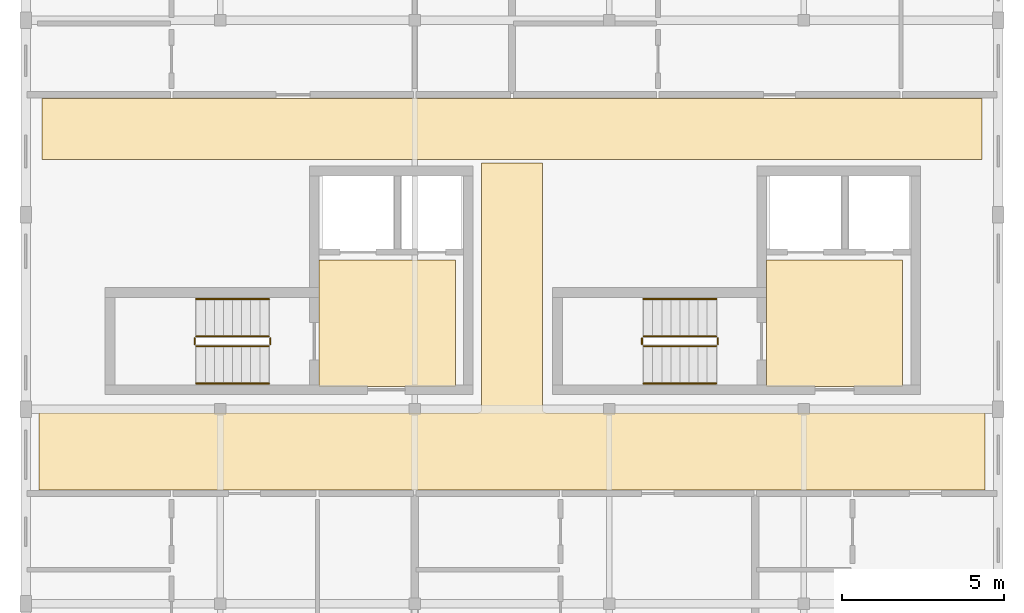
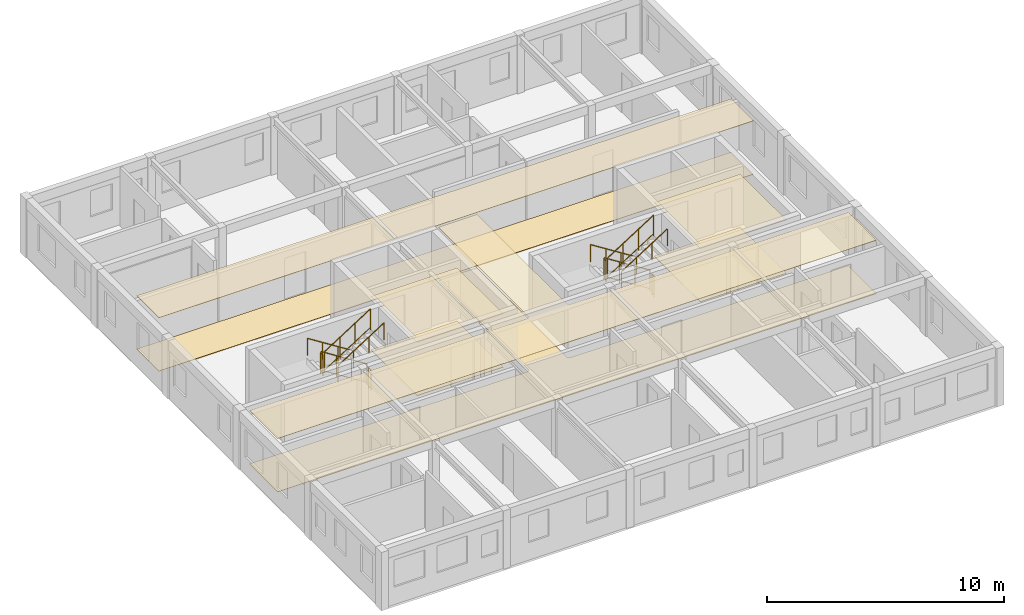
# One storey, part 7 of 7: 12 railings, 8 coverings.
"""IFC4 building model written with IfcOpenShell, lengths in metres."""

from ifc_helpers import new_model, si_unit, direction, frame, origin, origin_2d, place, context, subcontext, project, spatial, polyline, circle, outline, extrude, material, layer, layer_set, type_object, element, save


model = new_model("IFC4")

# Units and contexts
model_context = context("Model", 3, precision=1e-05, world=origin(), true_north=direction((0.0, 1.0)))
body_context = subcontext(model_context, "Body", "Model", "MODEL_VIEW")
ifc_project = project(units=[si_unit("LENGTHUNIT", "METRE"), si_unit("AREAUNIT", "SQUARE_METRE"), si_unit("VOLUMEUNIT", "CUBIC_METRE"), si_unit("PLANEANGLEUNIT", "RADIAN"), si_unit("MASSUNIT", "GRAM", prefix="KILO"), si_unit("POWERUNIT", "WATT"), si_unit("THERMODYNAMICTEMPERATUREUNIT", "KELVIN")], contexts=[model_context])

# Site, building, storey
site_placement = place(None, origin())
site = spatial("IfcSite", under=ifc_project, at=site_placement, CompositionType="ELEMENT")
building_placement = place(site_placement, origin())
building = spatial("IfcBuilding", under=site, at=building_placement, Name="Ruvembo Vaulted Housing Court", CompositionType="ELEMENT")
storey_placement = place(building_placement, frame((0.0, 0.0, 42.89990234375)))
storey = spatial("IfcBuildingStorey", under=building, at=storey_placement, Name="L13", CompositionType="ELEMENT", Elevation=42.89990234375)

# Coverings
ifc_material_1 = material(Name="Perforated Mineral-Fibre Acoustic Tile", Category="gypsum")
ifc_layer_1 = layer(ifc_material_1, 0.02001953125, Name="Perforated Mineral-Fibre Acoustic Tile")
ifc_layer_set_1 = layer_set([ifc_layer_1], Name="Perforated Mineral-Fibre Acoustic Tile")
covering_type_1 = type_object("IfcCoveringType", Name="COV-CEIL-ACOUST", PredefinedType="CEILING", material=ifc_layer_set_1)
covering_1_placement = place(storey_placement, frame((0.0, 0.0, 2.75)))
element("IfcCovering", 1, at=covering_1_placement, inside=storey, type_object=covering_type_1, Name="Firefighting Lift Lobby A1 Ceiling", PredefinedType="CEILING", context=body_context, shape_type="SweptSolid", body=[
    extrude(outline(polyline([(13.25, 22.60009765625), (9.050048828125, 22.60009765625), (9.050048828125, 18.699951171875), (13.25, 18.699951171875), (13.25, 22.60009765625)])), origin(), (0.0, 0.0, 1.0), 0.02001953125),
])
covering_2_placement = place(storey_placement, frame((0.0, 0.0, 2.75)))
element("IfcCovering", 2, at=covering_2_placement, inside=storey, type_object=covering_type_1, Name="Firefighting Lift Lobby A2 Ceiling", PredefinedType="CEILING", context=body_context, shape_type="SweptSolid", body=[
    extrude(outline(polyline([(27.050048828125, 22.60009765625), (22.85009765625, 22.60009765625), (22.85009765625, 18.699951171875), (27.050048828125, 18.699951171875), (27.050048828125, 22.60009765625)])), origin(), (0.0, 0.0, 1.0), 0.02001953125),
])
covering_3_placement = place(storey_placement, frame((0.0, 0.0, 2.75)))
element("IfcCovering", 3, at=covering_3_placement, inside=storey, type_object=covering_type_1, Name="Block A L13 Corridor Ceiling", PredefinedType="CEILING", context=body_context, shape_type="SweptSolid", body=[
    extrude(outline(polyline([(29.590087890625, 15.510009765625), (29.590087890625, 17.889892578125), (16.050048828125, 17.889892578125), (16.039306640625, 17.890380859375), (16.028564453125, 17.89208984375), (16.01806640625, 17.894775390625), (16.0078125, 17.8984375), (15.998046875, 17.903076171875), (15.989013671875, 17.908447265625), (15.980224609375, 17.9150390625), (15.97216796875, 17.922119140625), (15.965087890625, 17.93017578125), (15.95849609375, 17.93896484375), (15.952880859375, 17.947998046875), (15.948486328125, 17.9580078125), (15.944580078125, 17.968017578125), (15.942138671875, 17.978515625), (15.9404296875, 17.9892578125), (15.93994140625, 18.0), (15.93994140625, 25.590087890625), (14.06005859375, 25.590087890625), (14.06005859375, 18.0), (14.0595703125, 17.9892578125), (14.057861328125, 17.978515625), (14.055419921875, 17.968017578125), (14.051513671875, 17.9580078125), (14.047119140625, 17.947998046875), (14.04150390625, 17.93896484375), (14.034912109375, 17.93017578125), (14.02783203125, 17.922119140625), (14.019775390625, 17.9150390625), (14.010986328125, 17.908447265625), (14.001953125, 17.903076171875), (13.9921875, 17.8984375), (13.98193359375, 17.894775390625), (13.971435546875, 17.89208984375), (13.960693359375, 17.890380859375), (13.949951171875, 17.889892578125), (0.409912109375, 17.889892578125), (0.409912109375, 15.510009765625), (29.590087890625, 15.510009765625)])), origin(), (0.0, 0.0, 1.0), 0.02001953125),
])
covering_4_placement = place(storey_placement, frame((0.0, 0.0, 2.75)))
element("IfcCovering", 4, at=covering_4_placement, inside=storey, type_object=covering_type_1, Name="Block A L13 North Sub-Corridor Ceiling", PredefinedType="CEILING", context=body_context, shape_type="SweptSolid", body=[
    extrude(outline(polyline([(0.510009765625, 25.7099609375), (29.489990234375, 25.7099609375), (29.489990234375, 27.590087890625), (0.510009765625, 27.590087890625), (0.510009765625, 25.7099609375)])), origin(), (0.0, 0.0, 1.0), 0.02001953125),
])
ifc_material_2 = material(Name="Polished Cement-Aggregate Terrazzo", Category="stone")
ifc_layer_2 = layer(ifc_material_2, 0.02197265625, Name="Polished Cement-Aggregate Terrazzo")
ifc_layer_set_2 = layer_set([ifc_layer_2], Name="Polished Cement-Aggregate Terrazzo")
covering_type_2 = type_object("IfcCoveringType", Name="COV-FLR-CERAMIC", PredefinedType="FLOORING", material=ifc_layer_set_2)
covering_5_placement = place(storey_placement, origin())
element("IfcCovering", 5, at=covering_5_placement, inside=storey, type_object=covering_type_2, Name="Firefighting Lift Lobby A1 Flooring", PredefinedType="FLOORING", context=body_context, shape_type="SweptSolid", body=[
    extrude(outline(polyline([(13.25, 22.60009765625), (9.050048828125, 22.60009765625), (9.050048828125, 18.699951171875), (13.25, 18.699951171875), (13.25, 22.60009765625)])), origin(), (0.0, 0.0, 1.0), 0.022216796875),
])
covering_6_placement = place(storey_placement, origin())
element("IfcCovering", 6, at=covering_6_placement, inside=storey, type_object=covering_type_2, Name="Firefighting Lift Lobby A2 Flooring", PredefinedType="FLOORING", context=body_context, shape_type="SweptSolid", body=[
    extrude(outline(polyline([(27.050048828125, 22.60009765625), (22.85009765625, 22.60009765625), (22.85009765625, 18.699951171875), (27.050048828125, 18.699951171875), (27.050048828125, 22.60009765625)])), origin(), (0.0, 0.0, 1.0), 0.022216796875),
])
covering_7_placement = place(storey_placement, origin())
element("IfcCovering", 7, at=covering_7_placement, inside=storey, type_object=covering_type_2, Name="Block A L13 Corridor Flooring", PredefinedType="FLOORING", context=body_context, shape_type="SweptSolid", body=[
    extrude(outline(polyline([(29.590087890625, 15.510009765625), (29.590087890625, 17.889892578125), (16.050048828125, 17.889892578125), (16.039306640625, 17.890380859375), (16.028564453125, 17.89208984375), (16.01806640625, 17.894775390625), (16.0078125, 17.8984375), (15.998046875, 17.903076171875), (15.989013671875, 17.908447265625), (15.980224609375, 17.9150390625), (15.97216796875, 17.922119140625), (15.965087890625, 17.93017578125), (15.95849609375, 17.93896484375), (15.952880859375, 17.947998046875), (15.948486328125, 17.9580078125), (15.944580078125, 17.968017578125), (15.942138671875, 17.978515625), (15.9404296875, 17.9892578125), (15.93994140625, 18.0), (15.93994140625, 25.590087890625), (14.06005859375, 25.590087890625), (14.06005859375, 18.0), (14.0595703125, 17.9892578125), (14.057861328125, 17.978515625), (14.055419921875, 17.968017578125), (14.051513671875, 17.9580078125), (14.047119140625, 17.947998046875), (14.04150390625, 17.93896484375), (14.034912109375, 17.93017578125), (14.02783203125, 17.922119140625), (14.019775390625, 17.9150390625), (14.010986328125, 17.908447265625), (14.001953125, 17.903076171875), (13.9921875, 17.8984375), (13.98193359375, 17.894775390625), (13.971435546875, 17.89208984375), (13.960693359375, 17.890380859375), (13.949951171875, 17.889892578125), (0.409912109375, 17.889892578125), (0.409912109375, 15.510009765625), (29.590087890625, 15.510009765625)])), origin(), (0.0, 0.0, 1.0), 0.022216796875),
])
covering_8_placement = place(storey_placement, origin())
element("IfcCovering", 8, at=covering_8_placement, inside=storey, type_object=covering_type_2, Name="Block A L13 North Sub-Corridor Flooring", PredefinedType="FLOORING", context=body_context, shape_type="SweptSolid", body=[
    extrude(outline(polyline([(0.510009765625, 25.7099609375), (29.489990234375, 25.7099609375), (29.489990234375, 27.590087890625), (0.510009765625, 27.590087890625), (0.510009765625, 25.7099609375)])), origin(), (0.0, 0.0, 1.0), 0.022216796875),
])

# Railings
ifc_material_3 = material(Name="Painted Galvanised Steel S275", Category="steel")
ifc_layer_3 = layer(ifc_material_3, 0.06005859375, Name="Painted Galvanised Steel S275")
ifc_layer_set_3 = layer_set([ifc_layer_3], Name="Painted Galvanised Steel S275")
railing_type_1 = type_object("IfcRailingType", Name="RL-STAIR-GR1100", PredefinedType="GUARDRAIL", material=ifc_layer_set_3)
railing_1_placement = place(storey_placement, frame((7.5, 20.25, 0.177978515625)))
element("IfcRailing", 9, at=railing_1_placement, inside=storey, type_object=railing_type_1, Name="L13 ST-A1 stair guard 1", PredefinedType="GUARDRAIL", context=body_context, shape_type="SweptSolid", body=[
    extrude(circle(Radius=0.02392578125, at=origin_2d()), frame((0.0, 0.0, 1.076171875), z_axis=(-0.8442293374, 0.0, 0.53598211339), x_axis=(0.0, -1.0, 0.0)), (0.0, 0.0, 1.0), 2.6533203125),
    extrude(circle(Radius=0.01806640625, at=origin_2d()), frame((0.0, 0.0, 0.1201171875), z_axis=(-0.8442293374, 0.0, 0.53598211339), x_axis=(0.0, -1.0, 0.0)), (0.0, 0.0, 1.0), 2.6533203125),
    extrude(circle(Radius=0.02099609375, at=origin_2d()), origin(), (0.0, 0.0, 1.0), 1.052001953125),
    extrude(circle(Radius=0.02099609375, at=origin_2d()), frame((-0.74658203125, 0.0, 0.47412109375)), (0.0, 0.0, 1.0), 1.052001953125),
    extrude(circle(Radius=0.02099609375, at=origin_2d()), frame((-1.493408203125, 0.0, 0.947998046875)), (0.0, 0.0, 1.0), 1.052001953125),
    extrude(circle(Radius=0.02099609375, at=origin_2d()), frame((-2.239990234375, 0.0, 1.422119140625)), (0.0, 0.0, 1.0), 1.052001953125),
])
railing_2_placement = place(storey_placement, frame((5.2099609375, 20.199951171875, 1.60009765625)))
element("IfcRailing", 10, at=railing_2_placement, inside=storey, type_object=railing_type_1, Name="L13 ST-A1 stair guard 2", PredefinedType="GUARDRAIL", context=body_context, shape_type="SweptSolid", body=[
    extrude(circle(Radius=0.02392578125, at=origin_2d()), frame((0.0, 0.0, 1.076171875), z_axis=(0.0, -1.0, 0.0), x_axis=(1.0, 0.0, 0.0)), (0.0, 0.0, 1.0), 0.199951171875),
    extrude(circle(Radius=0.01806640625, at=origin_2d()), frame((0.0, 0.0, 0.1201171875), z_axis=(0.0, -1.0, 0.0), x_axis=(1.0, 0.0, 0.0)), (0.0, 0.0, 1.0), 0.199951171875),
    extrude(circle(Radius=0.02099609375, at=origin_2d()), origin(), (0.0, 0.0, 1.0), 1.052001953125),
    extrude(circle(Radius=0.02099609375, at=origin_2d()), frame((0.0, -0.199951171875, 0.0)), (0.0, 0.0, 1.0), 1.052001953125),
])
railing_3_placement = place(storey_placement, frame((5.260009765625, 19.949951171875, 1.77783203125)))
element("IfcRailing", 11, at=railing_3_placement, inside=storey, type_object=railing_type_1, Name="L13 ST-A1 stair guard 3", PredefinedType="GUARDRAIL", context=body_context, shape_type="SweptSolid", body=[
    extrude(circle(Radius=0.02392578125, at=origin_2d()), frame((0.0, 0.0, 1.076171875), z_axis=(0.84418770128, 0.0, 0.536047689118), x_axis=(0.0, 1.0, 0.0)), (0.0, 0.0, 1.0), 2.6533203125),
    extrude(circle(Radius=0.01806640625, at=origin_2d()), frame((0.0, 0.0, 0.1201171875), z_axis=(0.84418770128, 0.0, 0.536047689118), x_axis=(0.0, 1.0, 0.0)), (0.0, 0.0, 1.0), 2.6533203125),
    extrude(circle(Radius=0.02099609375, at=origin_2d()), origin(), (0.0, 0.0, 1.0), 1.052001953125),
    extrude(circle(Radius=0.02099609375, at=origin_2d()), frame((0.74658203125, 0.0, 0.47412109375)), (0.0, 0.0, 1.0), 1.052001953125),
    extrude(circle(Radius=0.02099609375, at=origin_2d()), frame((1.493408203125, 0.0, 0.9482421875)), (0.0, 0.0, 1.0), 1.052001953125),
    extrude(circle(Radius=0.02099609375, at=origin_2d()), frame((2.239990234375, 0.0, 1.42236328125)), (0.0, 0.0, 1.0), 1.052001953125),
])
railing_4_placement = place(storey_placement, frame((7.550048828125, 20.199951171875, 0.0)))
element("IfcRailing", 12, at=railing_4_placement, inside=storey, type_object=railing_type_1, Name="L13 ST-A1 stair guard 4", PredefinedType="GUARDRAIL", context=body_context, shape_type="SweptSolid", body=[
    extrude(circle(Radius=0.02392578125, at=origin_2d()), frame((0.0, 0.0, 1.076171875), z_axis=(0.0, -1.0, 0.0), x_axis=(1.0, 0.0, 0.0)), (0.0, 0.0, 1.0), 0.199951171875),
    extrude(circle(Radius=0.01806640625, at=origin_2d()), frame((0.0, 0.0, 0.1201171875), z_axis=(0.0, -1.0, 0.0), x_axis=(1.0, 0.0, 0.0)), (0.0, 0.0, 1.0), 0.199951171875),
    extrude(circle(Radius=0.02099609375, at=origin_2d()), origin(), (0.0, 0.0, 1.0), 1.052001953125),
    extrude(circle(Radius=0.02099609375, at=origin_2d()), frame((0.0, -0.199951171875, 0.0)), (0.0, 0.0, 1.0), 1.052001953125),
])
railing_5_placement = place(storey_placement, frame((21.300048828125, 20.25, 0.177978515625)))
element("IfcRailing", 13, at=railing_5_placement, inside=storey, type_object=railing_type_1, Name="L13 ST-A2 stair guard 1", PredefinedType="GUARDRAIL", context=body_context, shape_type="SweptSolid", body=[
    extrude(circle(Radius=0.02392578125, at=origin_2d()), frame((0.0, 0.0, 1.076171875), z_axis=(-0.8442293374, 0.0, 0.53598211339), x_axis=(0.0, -1.0, 0.0)), (0.0, 0.0, 1.0), 2.6533203125),
    extrude(circle(Radius=0.01806640625, at=origin_2d()), frame((0.0, 0.0, 0.1201171875), z_axis=(-0.8442293374, 0.0, 0.53598211339), x_axis=(0.0, -1.0, 0.0)), (0.0, 0.0, 1.0), 2.6533203125),
    extrude(circle(Radius=0.02099609375, at=origin_2d()), origin(), (0.0, 0.0, 1.0), 1.052001953125),
    extrude(circle(Radius=0.02099609375, at=origin_2d()), frame((-0.74658203125, 0.0, 0.47412109375)), (0.0, 0.0, 1.0), 1.052001953125),
    extrude(circle(Radius=0.02099609375, at=origin_2d()), frame((-1.493408203125, 0.0, 0.947998046875)), (0.0, 0.0, 1.0), 1.052001953125),
    extrude(circle(Radius=0.02099609375, at=origin_2d()), frame((-2.239990234375, 0.0, 1.422119140625)), (0.0, 0.0, 1.0), 1.052001953125),
])
railing_6_placement = place(storey_placement, frame((19.010009765625, 20.199951171875, 1.60009765625)))
element("IfcRailing", 14, at=railing_6_placement, inside=storey, type_object=railing_type_1, Name="L13 ST-A2 stair guard 2", PredefinedType="GUARDRAIL", context=body_context, shape_type="SweptSolid", body=[
    extrude(circle(Radius=0.02392578125, at=origin_2d()), frame((0.0, 0.0, 1.076171875), z_axis=(0.0, -1.0, 0.0), x_axis=(1.0, 0.0, 0.0)), (0.0, 0.0, 1.0), 0.199951171875),
    extrude(circle(Radius=0.01806640625, at=origin_2d()), frame((0.0, 0.0, 0.1201171875), z_axis=(0.0, -1.0, 0.0), x_axis=(1.0, 0.0, 0.0)), (0.0, 0.0, 1.0), 0.199951171875),
    extrude(circle(Radius=0.02099609375, at=origin_2d()), origin(), (0.0, 0.0, 1.0), 1.052001953125),
    extrude(circle(Radius=0.02099609375, at=origin_2d()), frame((0.0, -0.199951171875, 0.0)), (0.0, 0.0, 1.0), 1.052001953125),
])
railing_7_placement = place(storey_placement, frame((19.06005859375, 19.949951171875, 1.77783203125)))
element("IfcRailing", 15, at=railing_7_placement, inside=storey, type_object=railing_type_1, Name="L13 ST-A2 stair guard 3", PredefinedType="GUARDRAIL", context=body_context, shape_type="SweptSolid", body=[
    extrude(circle(Radius=0.02392578125, at=origin_2d()), frame((0.0, 0.0, 1.076171875), z_axis=(0.84418770128, 0.0, 0.536047689118), x_axis=(0.0, 1.0, 0.0)), (0.0, 0.0, 1.0), 2.6533203125),
    extrude(circle(Radius=0.01806640625, at=origin_2d()), frame((0.0, 0.0, 0.1201171875), z_axis=(0.84418770128, 0.0, 0.536047689118), x_axis=(0.0, 1.0, 0.0)), (0.0, 0.0, 1.0), 2.6533203125),
    extrude(circle(Radius=0.02099609375, at=origin_2d()), origin(), (0.0, 0.0, 1.0), 1.052001953125),
    extrude(circle(Radius=0.02099609375, at=origin_2d()), frame((0.74658203125, 0.0, 0.47412109375)), (0.0, 0.0, 1.0), 1.052001953125),
    extrude(circle(Radius=0.02099609375, at=origin_2d()), frame((1.493408203125, 0.0, 0.9482421875)), (0.0, 0.0, 1.0), 1.052001953125),
    extrude(circle(Radius=0.02099609375, at=origin_2d()), frame((2.239990234375, 0.0, 1.42236328125)), (0.0, 0.0, 1.0), 1.052001953125),
])
railing_8_placement = place(storey_placement, frame((21.35009765625, 20.199951171875, 0.0)))
element("IfcRailing", 16, at=railing_8_placement, inside=storey, type_object=railing_type_1, Name="L13 ST-A2 stair guard 4", PredefinedType="GUARDRAIL", context=body_context, shape_type="SweptSolid", body=[
    extrude(circle(Radius=0.02392578125, at=origin_2d()), frame((0.0, 0.0, 1.076171875), z_axis=(0.0, -1.0, 0.0), x_axis=(1.0, 0.0, 0.0)), (0.0, 0.0, 1.0), 0.199951171875),
    extrude(circle(Radius=0.01806640625, at=origin_2d()), frame((0.0, 0.0, 0.1201171875), z_axis=(0.0, -1.0, 0.0), x_axis=(1.0, 0.0, 0.0)), (0.0, 0.0, 1.0), 0.199951171875),
    extrude(circle(Radius=0.02099609375, at=origin_2d()), origin(), (0.0, 0.0, 1.0), 1.052001953125),
    extrude(circle(Radius=0.02099609375, at=origin_2d()), frame((0.0, -0.199951171875, 0.0)), (0.0, 0.0, 1.0), 1.052001953125),
])
ifc_material_4 = material(Name="Brushed Stainless Steel 304", Category="steel")
ifc_layer_4 = layer(ifc_material_4, 0.050048828125, Name="Brushed Stainless Steel 304")
ifc_layer_set_4 = layer_set([ifc_layer_4], Name="Brushed Stainless Steel 304")
railing_type_2 = type_object("IfcRailingType", Name="RL-STAIR-HR920", PredefinedType="HANDRAIL", material=ifc_layer_set_4)
railing_9_placement = place(storey_placement, frame((7.5, 21.39990234375, 0.359375)))
element("IfcRailing", 17, at=railing_9_placement, inside=storey, type_object=railing_type_2, Name="L13 ST-A1 stair handrail 1", PredefinedType="HANDRAIL", context=body_context, shape_type="SweptSolid", body=[
    extrude(circle(Radius=0.02392578125, at=origin_2d()), frame((0.0, 0.0, 0.8759765625), z_axis=(-0.8442293374, 0.0, 0.53598211339), x_axis=(0.0, -1.0, 0.0)), (0.0, 0.0, 1.0), 2.6533203125),
    extrude(circle(Radius=0.02099609375, at=origin_2d()), origin(), (0.0, 0.0, 1.0), 0.851806640625),
    extrude(circle(Radius=0.02099609375, at=origin_2d()), frame((-0.74658203125, 0.0, 0.47412109375)), (0.0, 0.0, 1.0), 0.851806640625),
    extrude(circle(Radius=0.02099609375, at=origin_2d()), frame((-1.493408203125, 0.0, 0.947998046875)), (0.0, 0.0, 1.0), 0.851806640625),
    extrude(circle(Radius=0.02099609375, at=origin_2d()), frame((-2.239990234375, 0.0, 1.422119140625)), (0.0, 0.0, 1.0), 0.851806640625),
])
railing_10_placement = place(storey_placement, frame((5.260009765625, 18.800048828125, 1.95947265625)))
element("IfcRailing", 18, at=railing_10_placement, inside=storey, type_object=railing_type_2, Name="L13 ST-A1 stair handrail 2", PredefinedType="HANDRAIL", context=body_context, shape_type="SweptSolid", body=[
    extrude(circle(Radius=0.02392578125, at=origin_2d()), frame((0.0, 0.0, 0.8759765625), z_axis=(0.8442293374, 0.0, 0.53598211339), x_axis=(0.0, 1.0, 0.0)), (0.0, 0.0, 1.0), 2.6533203125),
    extrude(circle(Radius=0.02099609375, at=origin_2d()), origin(), (0.0, 0.0, 1.0), 0.851806640625),
    extrude(circle(Radius=0.02099609375, at=origin_2d()), frame((0.74658203125, 0.0, 0.47412109375)), (0.0, 0.0, 1.0), 0.851806640625),
    extrude(circle(Radius=0.02099609375, at=origin_2d()), frame((1.493408203125, 0.0, 0.947998046875)), (0.0, 0.0, 1.0), 0.851806640625),
    extrude(circle(Radius=0.02099609375, at=origin_2d()), frame((2.239990234375, 0.0, 1.422119140625)), (0.0, 0.0, 1.0), 0.851806640625),
])
railing_11_placement = place(storey_placement, frame((21.300048828125, 21.39990234375, 0.359375)))
element("IfcRailing", 19, at=railing_11_placement, inside=storey, type_object=railing_type_2, Name="L13 ST-A2 stair handrail 1", PredefinedType="HANDRAIL", context=body_context, shape_type="SweptSolid", body=[
    extrude(circle(Radius=0.02392578125, at=origin_2d()), frame((0.0, 0.0, 0.8759765625), z_axis=(-0.8442293374, 0.0, 0.53598211339), x_axis=(0.0, -1.0, 0.0)), (0.0, 0.0, 1.0), 2.6533203125),
    extrude(circle(Radius=0.02099609375, at=origin_2d()), origin(), (0.0, 0.0, 1.0), 0.851806640625),
    extrude(circle(Radius=0.02099609375, at=origin_2d()), frame((-0.74658203125, 0.0, 0.47412109375)), (0.0, 0.0, 1.0), 0.851806640625),
    extrude(circle(Radius=0.02099609375, at=origin_2d()), frame((-1.493408203125, 0.0, 0.947998046875)), (0.0, 0.0, 1.0), 0.851806640625),
    extrude(circle(Radius=0.02099609375, at=origin_2d()), frame((-2.239990234375, 0.0, 1.422119140625)), (0.0, 0.0, 1.0), 0.851806640625),
])
railing_12_placement = place(storey_placement, frame((19.06005859375, 18.800048828125, 1.95947265625)))
element("IfcRailing", 20, at=railing_12_placement, inside=storey, type_object=railing_type_2, Name="L13 ST-A2 stair handrail 2", PredefinedType="HANDRAIL", context=body_context, shape_type="SweptSolid", body=[
    extrude(circle(Radius=0.02392578125, at=origin_2d()), frame((0.0, 0.0, 0.8759765625), z_axis=(0.8442293374, 0.0, 0.53598211339), x_axis=(0.0, 1.0, 0.0)), (0.0, 0.0, 1.0), 2.6533203125),
    extrude(circle(Radius=0.02099609375, at=origin_2d()), origin(), (0.0, 0.0, 1.0), 0.851806640625),
    extrude(circle(Radius=0.02099609375, at=origin_2d()), frame((0.74658203125, 0.0, 0.47412109375)), (0.0, 0.0, 1.0), 0.851806640625),
    extrude(circle(Radius=0.02099609375, at=origin_2d()), frame((1.493408203125, 0.0, 0.947998046875)), (0.0, 0.0, 1.0), 0.851806640625),
    extrude(circle(Radius=0.02099609375, at=origin_2d()), frame((2.239990234375, 0.0, 1.422119140625)), (0.0, 0.0, 1.0), 0.851806640625),
])

save(model, "model.ifc")
